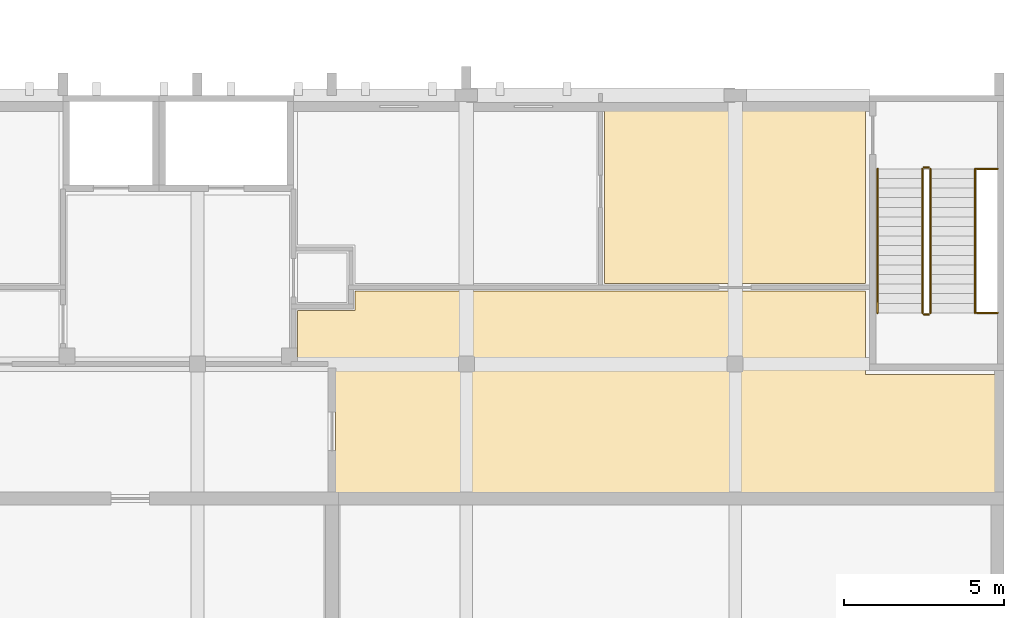
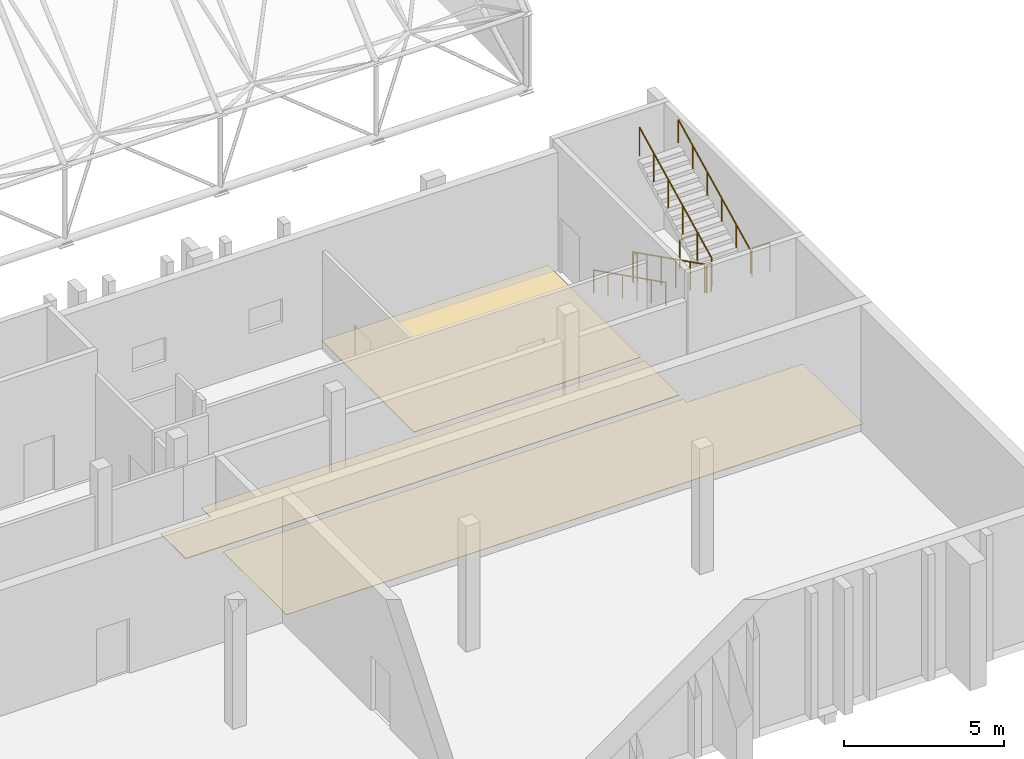
# One storey, part 99 of 100: 8 railings, 3 coverings.
"""IFC4 building model written with IfcOpenShell, lengths in metres."""

import ifcopenshell
import ifcopenshell.guid

model = None  # the IFC model being written
_history = None  # IfcOwnerHistory: only IFC2X3 demands one
_inside = {}  # id of a spatial element -> (the spatial element, [elements in it])
_under = {}  # id of a project, library or spatial element -> (it, [spatial elements below it])
_declared = {}  # id of a project -> (the project, [libraries it declares])
_typed = {}  # id of a type object -> (the type object, [elements of that type])
_made_of = {}  # id of a material, layer set ... -> (it, [elements and type objects made of it])


def new_model(schema):
    """Start an empty IFC model of exactly this schema.

    Asked for "IFC4X3", IfcOpenShell would pick the latest addendum, in which some entities
    have other attributes; the version numbers below select the first issue.
    IFC2X3 requires an IfcOwnerHistory on every rooted entity: one is made here for all.
    """
    global model, _history
    if schema == "IFC4X3":
        model = ifcopenshell.file(schema_version=(4, 3, 0, 0))
    else:
        model = ifcopenshell.file(schema=schema)
    _inside.clear()
    _under.clear()
    _declared.clear()
    _typed.clear()
    _made_of.clear()
    _history = None
    if model.schema == "IFC2X3":
        org = make("IfcOrganization", Name="unknown")
        user = make(
            "IfcPersonAndOrganization",
            ThePerson=make("IfcPerson", FamilyName="unknown"),
            TheOrganization=org,
        )
        app = make(
            "IfcApplication",
            ApplicationDeveloper=org,
            Version="unknown",
            ApplicationFullName="unknown",
            ApplicationIdentifier="unknown",
        )
        _history = make(
            "IfcOwnerHistory",
            OwningUser=user,
            OwningApplication=app,
            ChangeAction="ADDED",
            CreationDate=0,
        )
    return model


def make(cls, **values):
    """One entity of the class cls with the attributes given. An attribute that is None is left unset."""
    return model.create_entity(
        cls, **{name: value for name, value in values.items() if value is not None}
    )


def rooted(cls, **values):
    """An entity with a GlobalId (a new one), such as an element, a storey or a relation."""
    return make(cls, GlobalId=ifcopenshell.guid.new(), OwnerHistory=_history, **values)


def si_unit(unit_type, name, prefix=None):
    """IfcSIUnit, for example si_unit("LENGTHUNIT", "METRE", prefix="MILLI")."""
    return make("IfcSIUnit", UnitType=unit_type, Prefix=prefix, Name=name)


def assignment(units):
    """IfcUnitAssignment: the units of a project."""
    return None if units is None else make("IfcUnitAssignment", Units=units)


def point(xyz):
    """IfcCartesianPoint."""
    return None if xyz is None else make("IfcCartesianPoint", Coordinates=xyz)


def direction(xyz):
    """IfcDirection."""
    return None if xyz is None else make("IfcDirection", DirectionRatios=xyz)


def frame(location, z_axis=None, x_axis=None):
    """IfcAxis2Placement3D, a coordinate frame: its origin and axes. An axis left out is left unset."""
    return make(
        "IfcAxis2Placement3D",
        Location=point(location),
        Axis=direction(z_axis),
        RefDirection=direction(x_axis),
    )


def frame_2d(location, x_axis=None):
    """IfcAxis2Placement2D, a coordinate frame in the plane: its origin and x axis."""
    return make(
        "IfcAxis2Placement2D", Location=point(location), RefDirection=direction(x_axis)
    )


def origin():
    """The frame at (0, 0, 0) with its axes left unset."""
    return frame((0.0, 0.0, 0.0))


def origin_2d():
    """The frame at (0, 0) in the plane with its x axis left unset."""
    return frame_2d((0.0, 0.0))


def place(relative_to, where):
    """IfcLocalPlacement: puts the frame where relative to a parent placement (None: the world)."""
    return make(
        "IfcLocalPlacement", PlacementRelTo=relative_to, RelativePlacement=where
    )


def context(
    kind, dimensions, precision=None, world=None, true_north=None, identifier=None
):
    """IfcGeometricRepresentationContext, for example the 3D "Model" context."""
    return make(
        "IfcGeometricRepresentationContext",
        ContextIdentifier=identifier,
        ContextType=kind,
        CoordinateSpaceDimension=dimensions,
        Precision=precision,
        WorldCoordinateSystem=world,
        TrueNorth=true_north,
    )


def subcontext(parent, identifier, kind, view, scale=None):
    """IfcGeometricRepresentationSubContext, for example "Body" below "Model"."""
    return make(
        "IfcGeometricRepresentationSubContext",
        ContextIdentifier=identifier,
        ContextType=kind,
        ParentContext=parent,
        TargetScale=scale,
        TargetView=view,
    )


def project(units=None, contexts=None):
    """IfcProject with its units and contexts."""
    return rooted(
        "IfcProject",
        Name="project",
        RepresentationContexts=contexts,
        UnitsInContext=assignment(units),
    )


def spatial(cls, under=None, at=None, **own):
    """A site, building, storey or space (cls), placed at a placement, below another one or the project."""
    s = rooted(cls, ObjectPlacement=at, **own)
    if under is not None:
        _under.setdefault(under.id(), (under, []))[1].append(s)
    return s


def polyline(points):
    """IfcPolyline through the points."""
    return make("IfcPolyline", Points=[point(p) for p in points])


def profile(cls, at=None, kind="AREA", **sizes):
    """A parametric profile (cls). Its sizes go by their IFC names, for example OverallWidth=200.0."""
    return make(cls, ProfileType=kind, Position=at, **sizes)


def circle(**sizes):
    """IfcCircleProfileDef."""
    return profile("IfcCircleProfileDef", **sizes)


def outline(outer, holes=None, kind="AREA"):
    """IfcArbitraryClosedProfileDef: a profile drawn as a closed curve; with holes, ...WithVoids."""
    if holes is None:
        return make("IfcArbitraryClosedProfileDef", ProfileType=kind, OuterCurve=outer)
    return make(
        "IfcArbitraryProfileDefWithVoids",
        ProfileType=kind,
        OuterCurve=outer,
        InnerCurves=holes,
    )


def extrude(swept, where, along, depth):
    """IfcExtrudedAreaSolid: the profile swept, set in the frame where, extruded along a direction by depth."""
    return make(
        "IfcExtrudedAreaSolid",
        SweptArea=swept,
        Position=where,
        ExtrudedDirection=direction(along),
        Depth=depth,
    )


def shape(context_of_items, identifier, shape_type, items):
    """IfcShapeRepresentation: the items that make up one representation, for example the "Body"."""
    return make(
        "IfcShapeRepresentation",
        ContextOfItems=context_of_items,
        RepresentationIdentifier=identifier,
        RepresentationType=shape_type,
        Items=items,
    )


def material(Name=None, Category=None):
    """IfcMaterial."""
    return make("IfcMaterial", Name=Name, Category=Category)


def layer(
    of_material, thickness, ventilated=None, Name=None, Category=None, Priority=None
):
    """IfcMaterialLayer: one layer of a wall or slab, of a material (None: an air gap)."""
    return make(
        "IfcMaterialLayer",
        Material=of_material,
        LayerThickness=thickness,
        IsVentilated=ventilated,
        Name=Name,
        Category=Category,
        Priority=Priority,
    )


def layer_set(layers, Name=None):
    """IfcMaterialLayerSet."""
    return make("IfcMaterialLayerSet", MaterialLayers=layers, LayerSetName=Name)


def made_of(thing, what):
    """Note that an element or type object is made of a material, layer set ...; save() writes the relation."""
    if what is not None:
        _made_of.setdefault(what.id(), (what, []))[1].append(thing)
    return thing


def type_object(cls, material=None, **own):
    """A type object (cls), such as IfcWallType, which elements share."""
    return made_of(rooted(cls, **own), material)


def element(
    cls,
    number,
    at=None,
    inside=None,
    cuts=None,
    type_object=None,
    material=None,
    context=None,
    identifier="Body",
    shape_type=None,
    held_by="IfcProductDefinitionShape",
    body=None,
    shapes=None,
    **own,
):
    """One element of the class cls, such as IfcWall. Its Tag is "e" and its number.

    at: its placement. inside: the storey or other place that contains it. cuts: it is an
    opening in that element (IfcRelVoidsElement). A single representation is given by context,
    identifier, shape_type and body (its items); several are given by shapes. held_by: the class
    of the entity that holds the representations. save() writes the other relations.
    """
    e = rooted(cls, Tag="e%d" % number, ObjectPlacement=at, **own)
    if body is not None:
        shapes = [shape(context, identifier, shape_type, body)]
    if shapes is not None:
        e.Representation = make(held_by, Representations=shapes)
    if inside is not None:
        _inside.setdefault(inside.id(), (inside, []))[1].append(e)
    if cuts is not None:
        rooted(
            "IfcRelVoidsElement", RelatingBuildingElement=cuts, RelatedOpeningElement=e
        )
    if type_object is not None:
        _typed.setdefault(type_object.id(), (type_object, []))[1].append(e)
    return made_of(e, material)


def aggregate(whole, parts):
    """IfcRelAggregates: a whole, such as a stair, and the parts it consists of."""
    return rooted("IfcRelAggregates", RelatingObject=whole, RelatedObjects=parts)


def save(model, path):
    """Write the relations noted so far, then the file.

    IfcRelAggregates (storeys below a building ...), IfcRelContainedInSpatialStructure (elements
    in a storey), IfcRelDefinesByType, IfcRelAssociatesMaterial and IfcRelDeclares: one each for
    every whole, place, type object, material and project.
    """
    for whole, parts in _under.values():
        aggregate(whole, parts)
    for where, things in _inside.values():
        rooted(
            "IfcRelContainedInSpatialStructure",
            RelatedElements=things,
            RelatingStructure=where,
        )
    for kind, things in _typed.values():
        rooted("IfcRelDefinesByType", RelatedObjects=things, RelatingType=kind)
    for what, things in _made_of.values():
        rooted("IfcRelAssociatesMaterial", RelatedObjects=things, RelatingMaterial=what)
    for by, libraries in _declared.values():
        rooted("IfcRelDeclares", RelatingContext=by, RelatedDefinitions=libraries)
    model.write(path)


model = new_model("IFC4")

# Units and contexts
model_context = context("Model", 3, precision=1e-05, world=origin(), true_north=direction((0.0, 1.0)))
body_context = subcontext(model_context, "Body", "Model", "MODEL_VIEW")
ifc_project = project(units=[si_unit("LENGTHUNIT", "METRE"), si_unit("AREAUNIT", "SQUARE_METRE"), si_unit("VOLUMEUNIT", "CUBIC_METRE"), si_unit("PLANEANGLEUNIT", "RADIAN"), si_unit("MASSUNIT", "GRAM", prefix="KILO")], contexts=[model_context])

# Site, building, storey
site_placement = place(None, origin())
site = spatial("IfcSite", under=ifc_project, at=site_placement, CompositionType="ELEMENT")
building_placement = place(site_placement, origin())
building = spatial("IfcBuilding", under=site, at=building_placement, Name="Kiln Court Media Centre", CompositionType="ELEMENT")
storey_placement = place(building_placement, frame((0.0, 0.0, 15.0)))
storey = spatial("IfcBuildingStorey", under=building, at=storey_placement, Name="L03", CompositionType="ELEMENT", Elevation=15.0)

# Coverings
ifc_material_1 = material(Name="Carpet tile")
ifc_layer_1 = layer(ifc_material_1, 0.014892578125)
ifc_layer_set_1 = layer_set([ifc_layer_1], Name="Carpet tile floor finish 15")
covering_type_1 = type_object("IfcCoveringType", Name="Carpet tile floor finish 15", PredefinedType="FLOORING", material=ifc_layer_set_1)
covering_1_placement = place(storey_placement, origin())
element("IfcCovering", 1, at=covering_1_placement, inside=storey, type_object=covering_type_1, Name="Control Room 4 floor finish", PredefinedType="FLOORING", context=body_context, shape_type="SweptSolid", body=[
    extrude(outline(polyline([(167.8798828125, 12.719970703125), (167.8798828125, 16.47998046875), (163.679931640625, 16.47998046875), (163.679931640625, 16.679931640625), (147.1201171875, 16.679931640625), (147.1201171875, 12.719970703125), (167.8798828125, 12.719970703125)])), origin(), (0.0, 0.0, 1.0), 0.014892578125),
])
covering_2_placement = place(storey_placement, origin())
element("IfcCovering", 2, at=covering_2_placement, inside=storey, type_object=covering_type_1, Name="Mastering Suite floor finish", PredefinedType="FLOORING", context=body_context, shape_type="SweptSolid", body=[
    extrude(outline(polyline([(155.52001953125, 19.320068359375), (163.679931640625, 19.320068359375), (163.679931640625, 25.080078125), (155.52001953125, 25.080078125), (155.52001953125, 19.320068359375)])), origin(), (0.0, 0.0, 1.0), 0.014892578125),
])
ifc_material_2 = material(Name="Terrazzo")
ifc_layer_2 = layer(ifc_material_2, 0.02490234375)
ifc_layer_set_2 = layer_set([ifc_layer_2], Name="Polished terrazzo floor finish 25")
covering_type_2 = type_object("IfcCoveringType", Name="Polished terrazzo floor finish 25", PredefinedType="FLOORING", material=ifc_layer_set_2)
covering_3_placement = place(storey_placement, origin())
element("IfcCovering", 3, at=covering_3_placement, inside=storey, type_object=covering_type_2, Name="Studio Corridor floor finish", PredefinedType="FLOORING", context=body_context, shape_type="SweptSolid", body=[
    extrude(outline(polyline([(163.679931640625, 19.080078125), (147.719970703125, 19.080078125), (147.719970703125, 18.47998046875), (145.919921875, 18.47998046875), (145.919921875, 16.919921875), (163.679931640625, 16.919921875), (163.679931640625, 19.080078125)])), origin(), (0.0, 0.0, 1.0), 0.02490234375),
])

# Railings
ifc_material_3 = material(Name="Steel S275", Category="steel")
railing_type_1 = type_object("IfcRailingType", Name="Steel S275 stair guard 1100", PredefinedType="GUARDRAIL", material=ifc_material_3)
railing_1_placement = place(storey_placement, frame((165.449951171875, 22.89990234375, 0.14990234375)))
element("IfcRailing", 4, at=railing_1_placement, inside=storey, type_object=railing_type_1, Name="ST-17 stair guard", PredefinedType="GUARDRAIL", context=body_context, shape_type="SweptSolid", body=[
    extrude(circle(Radius=0.02392578125, at=origin_2d()), frame((0.0, 0.0, 1.076171875), z_axis=(0.0, -0.894427191, 0.4472135955), x_axis=(1.0, 0.0, 0.0)), (0.0, 0.0, 1.0), 5.03125),
    extrude(circle(Radius=0.02099609375, at=origin_2d()), origin(), (0.0, 0.0, 1.0), 1.052001953125),
    extrude(circle(Radius=0.02099609375, at=origin_2d()), frame((0.0, -0.89990234375, 0.449951171875)), (0.0, 0.0, 1.0), 1.052001953125),
    extrude(circle(Radius=0.02099609375, at=origin_2d()), frame((0.0, -1.800048828125, 0.89990234375)), (0.0, 0.0, 1.0), 1.052001953125),
    extrude(circle(Radius=0.02099609375, at=origin_2d()), frame((0.0, -2.699951171875, 1.35009765625)), (0.0, 0.0, 1.0), 1.052001953125),
    extrude(circle(Radius=0.02099609375, at=origin_2d()), frame((0.0, -3.60009765625, 1.800048828125)), (0.0, 0.0, 1.0), 1.052001953125),
    extrude(circle(Radius=0.02099609375, at=origin_2d()), frame((0.0, -4.5, 2.25)), (0.0, 0.0, 1.0), 1.052001953125),
])
railing_2_placement = place(storey_placement, frame((165.5, 18.35009765625, 2.39990234375)))
element("IfcRailing", 5, at=railing_2_placement, inside=storey, type_object=railing_type_1, Name="ST-17 stair guard", PredefinedType="GUARDRAIL", context=body_context, shape_type="SweptSolid", body=[
    extrude(circle(Radius=0.02392578125, at=origin_2d()), frame((0.0, 0.0, 1.076171875), z_axis=(1.0, 0.0, 0.0), x_axis=(0.0, 1.0, 0.0)), (0.0, 0.0, 1.0), 0.14990234375),
    extrude(circle(Radius=0.02099609375, at=origin_2d()), origin(), (0.0, 0.0, 1.0), 1.052001953125),
    extrude(circle(Radius=0.02099609375, at=origin_2d()), frame((0.14990234375, 0.0, 0.0)), (0.0, 0.0, 1.0), 1.052001953125),
])
railing_3_placement = place(storey_placement, frame((165.699951171875, 18.39990234375, 2.550048828125)))
element("IfcRailing", 6, at=railing_3_placement, inside=storey, type_object=railing_type_1, Name="ST-17 stair guard", PredefinedType="GUARDRAIL", context=body_context, shape_type="SweptSolid", body=[
    extrude(circle(Radius=0.02392578125, at=origin_2d()), frame((0.0, 0.0, 1.076171875), z_axis=(0.0, 0.894427191, 0.4472135955), x_axis=(-1.0, 0.0, 0.0)), (0.0, 0.0, 1.0), 5.03125),
    extrude(circle(Radius=0.02099609375, at=origin_2d()), origin(), (0.0, 0.0, 1.0), 1.052001953125),
    extrude(circle(Radius=0.02099609375, at=origin_2d()), frame((0.0, 0.89990234375, 0.449951171875)), (0.0, 0.0, 1.0), 1.052001953125),
    extrude(circle(Radius=0.02099609375, at=origin_2d()), frame((0.0, 1.800048828125, 0.89990234375)), (0.0, 0.0, 1.0), 1.052001953125),
    extrude(circle(Radius=0.02099609375, at=origin_2d()), frame((0.0, 2.699951171875, 1.35009765625)), (0.0, 0.0, 1.0), 1.052001953125),
    extrude(circle(Radius=0.02099609375, at=origin_2d()), frame((0.0, 3.60009765625, 1.800048828125)), (0.0, 0.0, 1.0), 1.052001953125),
    extrude(circle(Radius=0.02099609375, at=origin_2d()), frame((0.0, 4.5, 2.25)), (0.0, 0.0, 1.0), 1.052001953125),
])
railing_4_placement = place(storey_placement, frame((165.5, 22.949951171875, 0.0)))
element("IfcRailing", 7, at=railing_4_placement, inside=storey, type_object=railing_type_1, Name="ST-17 stair guard", PredefinedType="GUARDRAIL", context=body_context, shape_type="SweptSolid", body=[
    extrude(circle(Radius=0.02392578125, at=origin_2d()), frame((0.0, 0.0, 1.076171875), z_axis=(1.0, 0.0, 0.0), x_axis=(0.0, 1.0, 0.0)), (0.0, 0.0, 1.0), 0.14990234375),
    extrude(circle(Radius=0.02099609375, at=origin_2d()), origin(), (0.0, 0.0, 1.0), 1.052001953125),
    extrude(circle(Radius=0.02099609375, at=origin_2d()), frame((0.14990234375, 0.0, 0.0)), (0.0, 0.0, 1.0), 1.052001953125),
])
for number, where, name in (
    (8, (167.14990234375, 18.39990234375, 2.39990234375), "ST-17 landing edge guard"),
    (9, (167.14990234375, 22.89990234375, 0.0), "ST-17 landing edge guard"),
):
    element("IfcRailing", number, at=place(storey_placement, frame(where)), inside=storey, type_object=railing_type_1, Name=name, PredefinedType="GUARDRAIL", context=body_context, shape_type="SweptSolid", body=[
        extrude(circle(Radius=0.02392578125, at=origin_2d()), frame((0.0, 0.0, 1.076171875), z_axis=(1.0, 0.0, 0.0), x_axis=(0.0, 1.0, 0.0)), (0.0, 0.0, 1.0), 0.650146484375),
        extrude(circle(Radius=0.02099609375, at=origin_2d()), origin(), (0.0, 0.0, 1.0), 1.052001953125),
        extrude(circle(Radius=0.02099609375, at=origin_2d()), frame((0.650146484375, 0.0, 0.0)), (0.0, 0.0, 1.0), 1.052001953125),
    ])
ifc_material_4 = material(Name="Steel S275", Category="steel")
railing_type_2 = type_object("IfcRailingType", Name="Steel S275 stair handrail 900", PredefinedType="HANDRAIL", material=ifc_material_4)
railing_5_placement = place(storey_placement, frame((164.050048828125, 22.89990234375, 0.14990234375)))
element("IfcRailing", 10, at=railing_5_placement, inside=storey, type_object=railing_type_2, Name="ST-17 stair handrail", PredefinedType="HANDRAIL", context=body_context, shape_type="SweptSolid", body=[
    extrude(circle(Radius=0.02392578125, at=origin_2d()), frame((0.0, 0.0, 0.8759765625), z_axis=(0.0, -0.894427191, 0.4472135955), x_axis=(1.0, 0.0, 0.0)), (0.0, 0.0, 1.0), 5.03125),
    extrude(circle(Radius=0.02099609375, at=origin_2d()), origin(), (0.0, 0.0, 1.0), 0.851806640625),
    extrude(circle(Radius=0.02099609375, at=origin_2d()), frame((0.0, -0.89990234375, 0.449951171875)), (0.0, 0.0, 1.0), 0.851806640625),
    extrude(circle(Radius=0.02099609375, at=origin_2d()), frame((0.0, -1.800048828125, 0.89990234375)), (0.0, 0.0, 1.0), 0.851806640625),
    extrude(circle(Radius=0.02099609375, at=origin_2d()), frame((0.0, -2.699951171875, 1.35009765625)), (0.0, 0.0, 1.0), 0.851806640625),
    extrude(circle(Radius=0.02099609375, at=origin_2d()), frame((0.0, -3.60009765625, 1.800048828125)), (0.0, 0.0, 1.0), 0.851806640625),
    extrude(circle(Radius=0.02099609375, at=origin_2d()), frame((0.0, -4.5, 2.25)), (0.0, 0.0, 1.0), 0.851806640625),
])
railing_6_placement = place(storey_placement, frame((167.10009765625, 18.39990234375, 2.550048828125)))
element("IfcRailing", 11, at=railing_6_placement, inside=storey, type_object=railing_type_2, Name="ST-17 stair handrail", PredefinedType="HANDRAIL", context=body_context, shape_type="SweptSolid", body=[
    extrude(circle(Radius=0.02392578125, at=origin_2d()), frame((0.0, 0.0, 0.8759765625), z_axis=(0.0, 0.894427191, 0.4472135955), x_axis=(-1.0, 0.0, 0.0)), (0.0, 0.0, 1.0), 5.03125),
    extrude(circle(Radius=0.02099609375, at=origin_2d()), origin(), (0.0, 0.0, 1.0), 0.851806640625),
    extrude(circle(Radius=0.02099609375, at=origin_2d()), frame((0.0, 0.89990234375, 0.449951171875)), (0.0, 0.0, 1.0), 0.851806640625),
    extrude(circle(Radius=0.02099609375, at=origin_2d()), frame((0.0, 1.800048828125, 0.89990234375)), (0.0, 0.0, 1.0), 0.851806640625),
    extrude(circle(Radius=0.02099609375, at=origin_2d()), frame((0.0, 2.699951171875, 1.35009765625)), (0.0, 0.0, 1.0), 0.851806640625),
    extrude(circle(Radius=0.02099609375, at=origin_2d()), frame((0.0, 3.60009765625, 1.800048828125)), (0.0, 0.0, 1.0), 0.851806640625),
    extrude(circle(Radius=0.02099609375, at=origin_2d()), frame((0.0, 4.5, 2.25)), (0.0, 0.0, 1.0), 0.851806640625),
])

save(model, "model.ifc")
